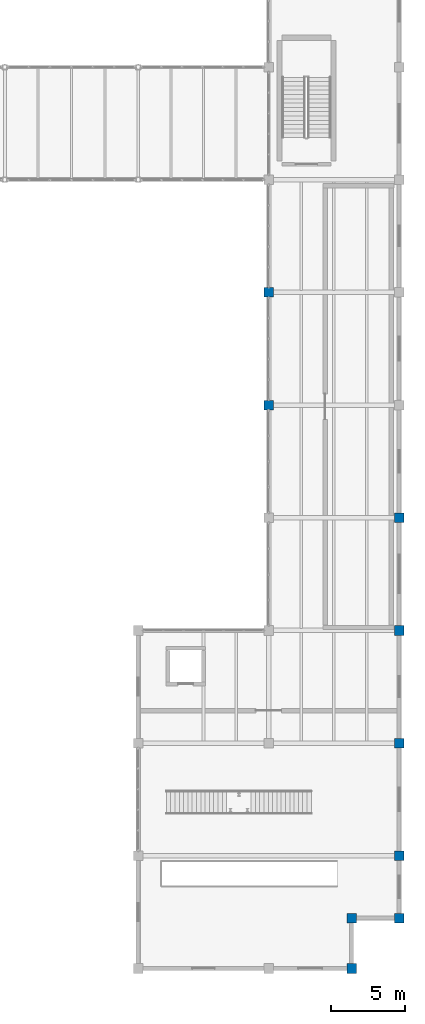
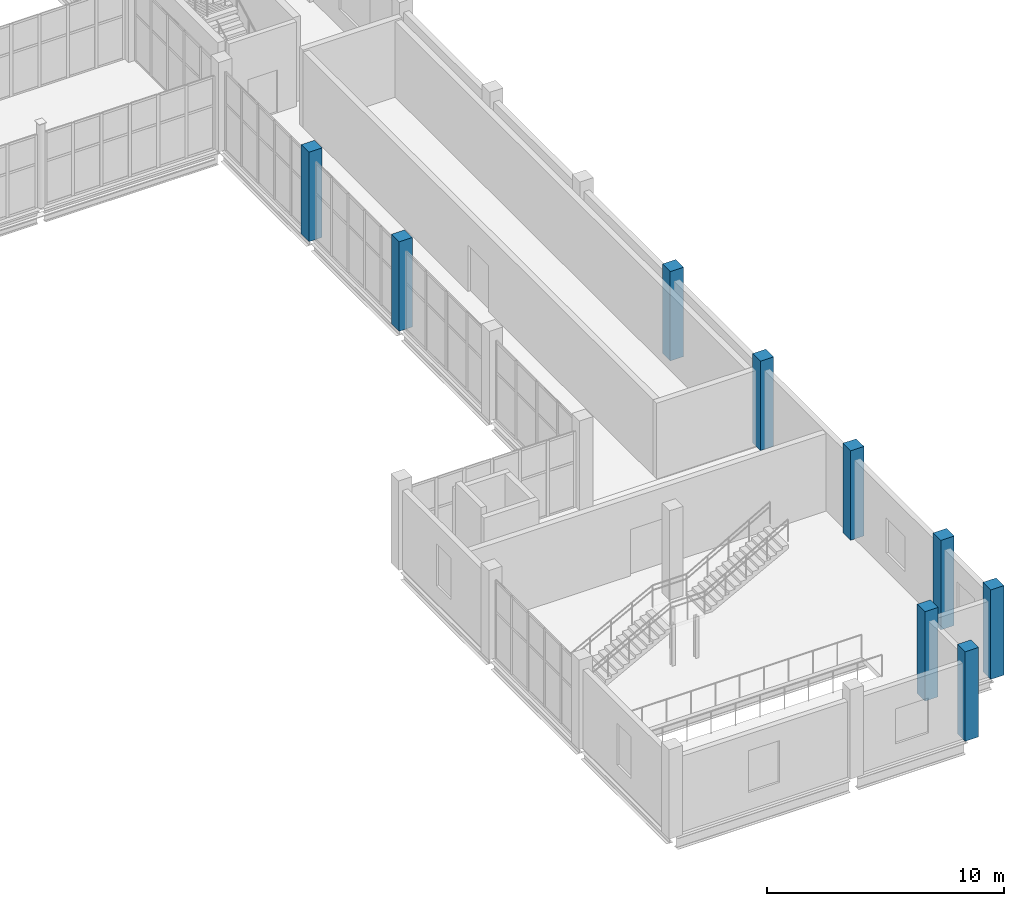
# One storey, part 13 of 172: 9 columns.
"""IFC4 building model written with IfcOpenShell, lengths in metres."""

from ifc_helpers import new_model, si_unit, direction, frame, origin, origin_2d, place, context, subcontext, project, spatial, rectangle, extrude, material, material_profile, profile_set, type_object, element, save


model = new_model("IFC4")

# Units and contexts
model_context = context("Model", 3, precision=1e-05, world=origin(), true_north=direction((0.0, 1.0)))
body_context = subcontext(model_context, "Body", "Model", "MODEL_VIEW")
ifc_project = project(units=[si_unit("LENGTHUNIT", "METRE"), si_unit("AREAUNIT", "SQUARE_METRE"), si_unit("VOLUMEUNIT", "CUBIC_METRE"), si_unit("PLANEANGLEUNIT", "RADIAN"), si_unit("MASSUNIT", "GRAM", prefix="KILO")], contexts=[model_context])

# Site, building, storey
site_placement = place(None, origin())
site = spatial("IfcSite", under=ifc_project, at=site_placement, CompositionType="ELEMENT")
building_placement = place(site_placement, origin())
building = spatial("IfcBuilding", under=site, at=building_placement, Name="Shengluoqiao Park Theatre", CompositionType="ELEMENT")
storey_placement = place(building_placement, frame((0.0, 0.0, 5.39990234375)))
storey = spatial("IfcBuildingStorey", under=building, at=storey_placement, Name="L01", CompositionType="ELEMENT", Elevation=5.39990234375)

# Columns
ifc_material = material(Name="Concrete C40", Category="concrete")
ifc_material_profile = material_profile(ifc_material, rectangle(XDim=0.64990234375, YDim=0.64990234375, at=origin_2d()), Name="RC 650x650")
ifc_profile_set = profile_set([ifc_material_profile], Name="Concrete C40")
column_type = type_object("IfcColumnType", Name="STR-COL-C-RC650", PredefinedType="COLUMN", material=ifc_profile_set)
for number, where, z_axis, x_axis, name in (
    (1, (157.199951171875, 38.0, 0.0), (0.0, 0.0, 1.0), (1.0, 0.0, 0.0), "L01 Column 0785"),
    (2, (157.199951171875, 45.60009765625, 0.0), (0.0, 0.0, 1.0), (1.0, 0.0, 0.0), "L01 Column 0788"),
    (3, (166.0, 7.60009765625, 0.0), (0.0, 0.0, 1.0), (1.0, 0.0, 0.0), "L01 Column 0836"),
    (4, (166.0, 15.199951171875, 0.0), (0.0, 0.0, 1.0), (1.0, 0.0, 0.0), "L01 Column 0839"),
    (5, (166.0, 22.800048828125, 0.0), (0.0, 0.0, 1.0), (1.0, 0.0, 0.0), "L01 Column 0842"),
    (6, (166.0, 30.39990234375, 0.0), (0.0, 0.0, 1.0), (1.0, 0.0, 0.0), "L01 Column 0845"),
    (7, (162.800048828125, 0.0, 0.0), (0.0, 0.0, 1.0), (1.0, 0.0, 0.0), "L01 Corner Step Column 04"),
    (8, (162.800048828125, 3.39990234375, 0.0), (0.0, 0.0, 1.0), (1.0, 0.0, 0.0), "L01 Corner Step Column 05"),
    (9, (166.0, 3.39990234375, 0.0), (0.0, 0.0, 1.0), (1.0, 0.0, 0.0), "L01 Corner Step Column 06"),
):
    element("IfcColumn", number, at=place(storey_placement, frame(where, z_axis=z_axis, x_axis=x_axis)), inside=storey, type_object=column_type, Name=name, PredefinedType="COLUMN", context=body_context, shape_type="SweptSolid", body=[
        extrude(rectangle(XDim=0.64990234375, YDim=0.64990234375, at=origin_2d()), origin(), (0.0, 0.0, 1.0), 4.60009765625),
    ])

save(model, "model.ifc")
